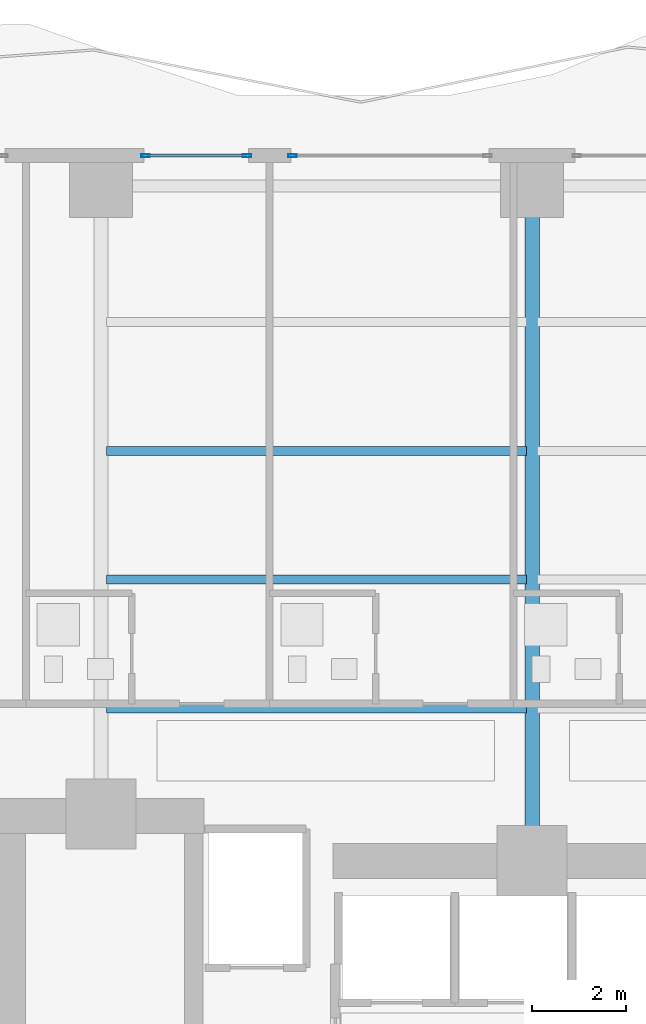
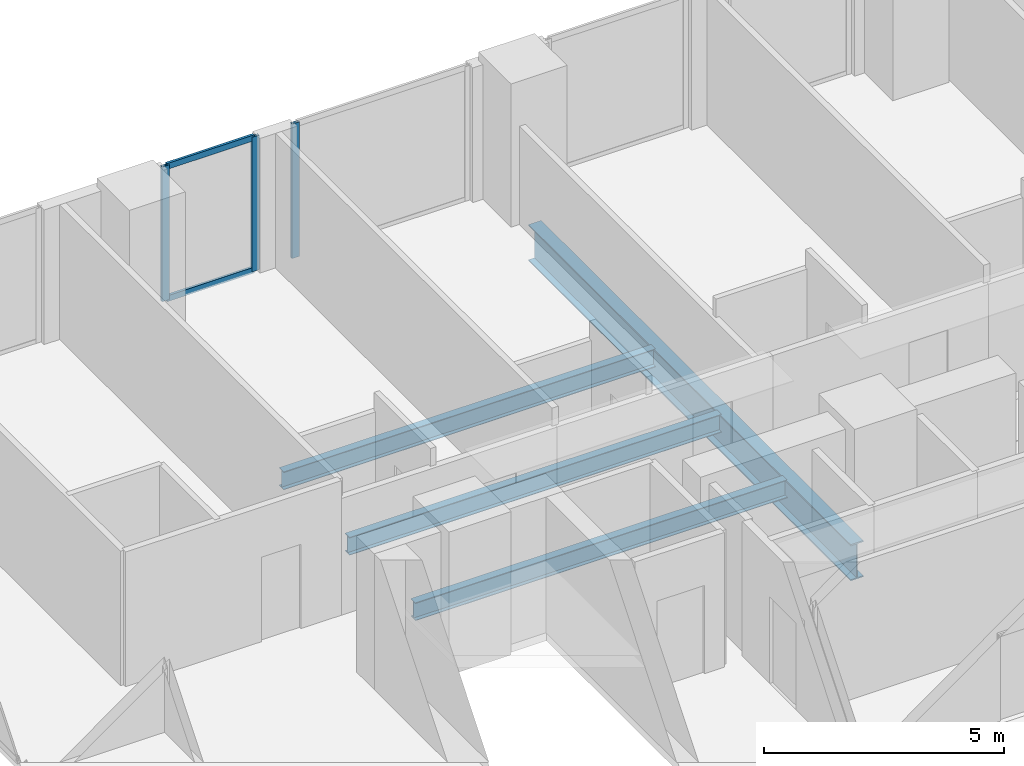
# One storey, part 15 of 29: 5 members, 4 beams, 2 elements without a shape of their own.
"""IFC4 building model written with IfcOpenShell, lengths in metres."""

from ifc_helpers import new_model, si_unit, direction, frame, origin, origin_2d, place, context, subcontext, project, spatial, hollow_rectangle, i_section, extrude, material, layer, layer_set, material_profile, profile_set, type_object, element, aggregate, save


model = new_model("IFC4")

# Units and contexts
model_context = context("Model", 3, precision=1e-05, world=origin(), true_north=direction((0.0, 1.0)))
body_context = subcontext(model_context, "Body", "Model", "MODEL_VIEW")
ifc_project = project(units=[si_unit("LENGTHUNIT", "METRE"), si_unit("AREAUNIT", "SQUARE_METRE"), si_unit("VOLUMEUNIT", "CUBIC_METRE"), si_unit("PLANEANGLEUNIT", "RADIAN"), si_unit("MASSUNIT", "GRAM", prefix="KILO")], contexts=[model_context])

# Site, building, storey
site_placement = place(None, origin())
site = spatial("IfcSite", under=ifc_project, at=site_placement, CompositionType="ELEMENT")
building_placement = place(site_placement, origin())
building = spatial("IfcBuilding", under=site, at=building_placement, Name="Zuhayl Quay Hotel", CompositionType="ELEMENT")
storey_placement = place(building_placement, frame((0.0, 0.0, 106.60009765625)))
storey = spatial("IfcBuildingStorey", under=building, at=storey_placement, Name="L26", CompositionType="ELEMENT", Elevation=106.60009765625)

# Beams
ifc_material_1 = material(Name="Steel ASTM A992 Grade 50", Category="steel")
ifc_material_profile_1 = material_profile(ifc_material_1, i_section(OverallWidth=0.18994140625, OverallDepth=0.45703125, WebThickness=0.009033203125, FlangeThickness=0.014404296875, at=origin_2d()), Name="W18X50")
ifc_profile_set_1 = profile_set([ifc_material_profile_1], Name="Steel ASTM A992 Grade 50")
beam_type_1 = type_object("IfcBeamType", Name="BM_J2_W18X50", PredefinedType="JOIST", material=ifc_profile_set_1)
for number, where, z_axis, x_axis, name in (
    (1, (-13.680908203125, 16.60009765625, -0.448486328125), (1.0, 0.0, 0.0), (0.0, 1.0, 0.0), "L26 Floor Beam FJ_L26_1_1"),
    (2, (-13.680908203125, 19.35009765625, -0.448486328125), (1.0, 0.0, 0.0), (0.0, 1.0, 0.0), "L26 Floor Beam FJ_L26_2_1"),
    (3, (-13.680908203125, 22.10009765625, -0.448486328125), (1.0, 0.0, 0.0), (0.0, 1.0, 0.0), "L26 Floor Beam FJ_L26_3_1"),
):
    element("IfcBeam", number, at=place(storey_placement, frame(where, z_axis=z_axis, x_axis=x_axis)), inside=storey, type_object=beam_type_1, Name=name, PredefinedType="JOIST", context=body_context, shape_type="SweptSolid", body=[
        extrude(i_section(OverallWidth=0.18994140625, OverallDepth=0.45703125, WebThickness=0.009033203125, FlangeThickness=0.014404296875, at=origin_2d()), origin(), (0.0, 0.0, 1.0), 8.9619140625),
    ])
ifc_material_profile_2 = material_profile(ifc_material_1, i_section(OverallWidth=0.306884765625, OverallDepth=0.927001953125, WebThickness=0.019287109375, FlangeThickness=0.031982421875, at=origin_2d()), Name="W36X194")
ifc_profile_set_2 = profile_set([ifc_material_profile_2], Name="Steel ASTM A992 Grade 50")
beam_type_2 = type_object("IfcBeamType", Name="BM_PG2_W36X194", PredefinedType="BEAM", material=ifc_profile_set_2)
beam_placement = place(storey_placement, frame((-4.60009765625, 13.800048828125, -0.68359375), z_axis=(0.0, 1.0, 0.0), x_axis=(-1.0, 0.0, 0.0)))
element("IfcBeam", 4, at=beam_placement, inside=storey, type_object=beam_type_2, Name="L26 Floor Beam FG_N_L26_2", PredefinedType="BEAM", context=body_context, shape_type="SweptSolid", body=[
    extrude(i_section(OverallWidth=0.306884765625, OverallDepth=0.927001953125, WebThickness=0.019287109375, FlangeThickness=0.031982421875, at=origin_2d()), origin(), (0.0, 0.0, 1.0), 13.449951171875),
])

# Curtain wall, members
ifc_material_2 = material(Name="Anodised Aluminium 6063-T6", Category="aluminium")
ifc_layer = layer(ifc_material_2, 0.179931640625, Name="Anodised Aluminium 6063-T6", Category="aluminium")
ifc_layer_set = layer_set([ifc_layer], Name="Anodised Aluminium 6063-T6")
curtain_wall_type = type_object("IfcCurtainWallType", Name="CW_SYS_Z2", PredefinedType="USERDEFINED", material=ifc_layer_set)
curtain_wall_1_placement = place(storey_placement, origin())
curtain_wall_1 = element("IfcCurtainWall", 5, at=curtain_wall_1_placement, inside=storey, type_object=curtain_wall_type, Name="L26 Curtain Wall ENV_L26_N_CW2", ObjectType="UNITISED CURTAIN WALL", PredefinedType="USERDEFINED")
ifc_material_3 = material(Name="Black-anodised aluminium 6063-T6", Category="aluminium")
ifc_material_profile_3 = material_profile(ifc_material_3, hollow_rectangle(XDim=0.06494140625, YDim=0.179931640625, WallThickness=0.00341796875, at=origin_2d()), Name="ALU180X65")
ifc_profile_set_3 = profile_set([ifc_material_profile_3], Name="Black-anodised aluminium 6063-T6")
member_type_1 = type_object("IfcMemberType", Name="MB_CW_MUL_180", PredefinedType="MULLION", material=ifc_profile_set_3)
member_1_placement = place(storey_placement, frame((-12.847412109375, 28.39990234375, 0.0), z_axis=(0.0, 0.0, 1.0), x_axis=(0.0, 1.0, 0.0)))
member_1 = element("IfcMember", 6, at=member_1_placement, type_object=member_type_1, Name="CW-Z2 mullion 1", PredefinedType="MULLION", context=body_context, shape_type="SweptSolid", body=[
    extrude(hollow_rectangle(XDim=0.06494140625, YDim=0.179931640625, WallThickness=0.00341796875, at=origin_2d()), origin(), (0.0, 0.0, 1.0), 3.429931640625),
])
member_2_placement = place(storey_placement, frame((-10.6826171875, 28.39990234375, 0.0), z_axis=(0.0, 0.0, 1.0), x_axis=(0.0, 1.0, 0.0)))
member_2 = element("IfcMember", 7, at=member_2_placement, type_object=member_type_1, Name="CW-Z2 mullion 2", PredefinedType="MULLION", context=body_context, shape_type="SweptSolid", body=[
    extrude(hollow_rectangle(XDim=0.06494140625, YDim=0.179931640625, WallThickness=0.00341796875, at=origin_2d()), origin(), (0.0, 0.0, 1.0), 3.429931640625),
])

# Curtain wall, member
curtain_wall_2_placement = place(storey_placement, origin())
curtain_wall_2 = element("IfcCurtainWall", 8, at=curtain_wall_2_placement, inside=storey, type_object=curtain_wall_type, Name="L26 Curtain Wall ENV_L26_N_CW3", ObjectType="UNITISED CURTAIN WALL", PredefinedType="USERDEFINED")
member_3_placement = place(storey_placement, frame((-9.717529296875, 28.39990234375, 0.0), z_axis=(0.0, 0.0, 1.0), x_axis=(0.0, 1.0, 0.0)))
member_3 = element("IfcMember", 9, at=member_3_placement, type_object=member_type_1, Name="CW-Z2 mullion 1", PredefinedType="MULLION", context=body_context, shape_type="SweptSolid", body=[
    extrude(hollow_rectangle(XDim=0.06494140625, YDim=0.179931640625, WallThickness=0.00341796875, at=origin_2d()), origin(), (0.0, 0.0, 1.0), 3.429931640625),
])
aggregate(curtain_wall_2, [member_3])

# Member
ifc_material_profile_4 = material_profile(ifc_material_3, hollow_rectangle(XDim=0.06005859375, YDim=0.14990234375, WallThickness=0.00341796875, at=origin_2d()), Name="ALU150X60")
ifc_profile_set_4 = profile_set([ifc_material_profile_4], Name="Black-anodised aluminium 6063-T6")
member_type_2 = type_object("IfcMemberType", Name="MB_CW_TRN_150", PredefinedType="USERDEFINED", material=ifc_profile_set_4)
member_4_placement = place(storey_placement, frame((-12.81494140625, 28.39990234375, 0.02978515625), z_axis=(1.0, 0.0, 0.0), x_axis=(0.0, 1.0, 0.0)))
member_4 = element("IfcMember", 10, at=member_4_placement, type_object=member_type_2, Name="CW-Z2 transom 1.1", ObjectType="TRANSOM", PredefinedType="USERDEFINED", context=body_context, shape_type="SweptSolid", body=[
    extrude(hollow_rectangle(XDim=0.06005859375, YDim=0.14990234375, WallThickness=0.00341796875, at=origin_2d()), origin(), (0.0, 0.0, 1.0), 2.099853515625),
])

member_5_placement = place(storey_placement, frame((-12.81494140625, 28.39990234375, 3.39990234375), z_axis=(1.0, 0.0, 0.0), x_axis=(0.0, 1.0, 0.0)))
member_5 = element("IfcMember", 11, at=member_5_placement, type_object=member_type_2, Name="CW-Z2 transom 1.2", ObjectType="TRANSOM", PredefinedType="USERDEFINED", context=body_context, shape_type="SweptSolid", body=[
    extrude(hollow_rectangle(XDim=0.06005859375, YDim=0.14990234375, WallThickness=0.00341796875, at=origin_2d()), origin(), (0.0, 0.0, 1.0), 2.099853515625),
])

aggregate(curtain_wall_1, [member_1, member_2, member_4, member_5])

save(model, "model.ifc")
